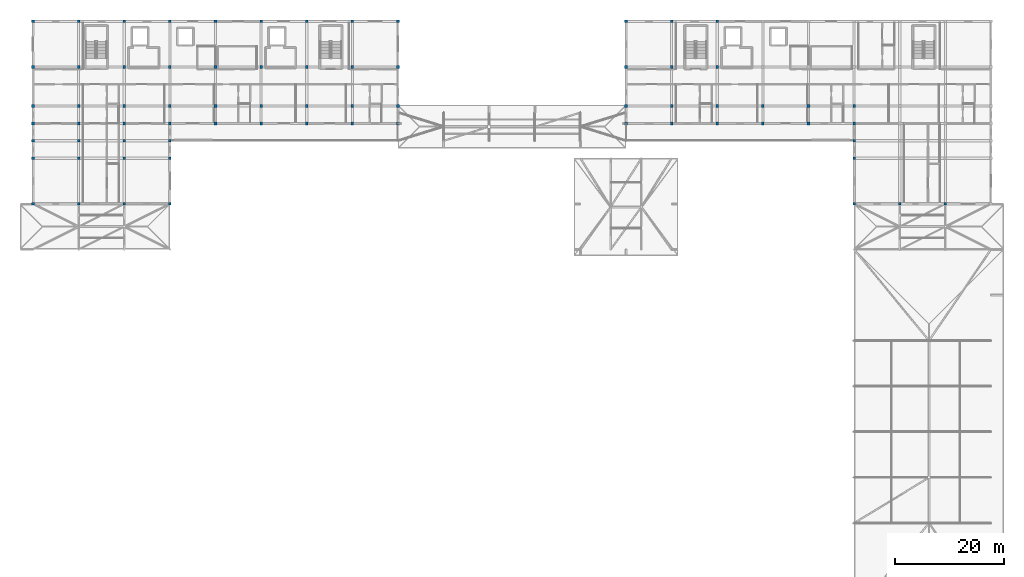
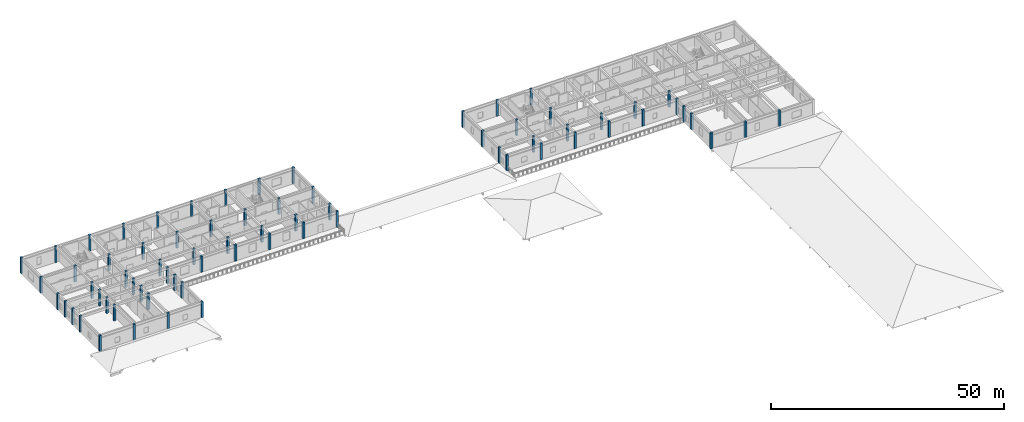
# One storey, part 1 of 26: 71 columns.
"""IFC4 building model written with IfcOpenShell, lengths in metres."""

from ifc_helpers import new_model, si_unit, direction, frame, origin, origin_2d, place, context, subcontext, project, spatial, rectangle, extrude, material, material_profile, profile_set, type_object, element, save


model = new_model("IFC4")

# Units and contexts
model_context = context("Model", 3, precision=1e-05, world=origin(), true_north=direction((0.0, 1.0)))
body_context = subcontext(model_context, "Body", "Model", "MODEL_VIEW")
ifc_project = project(units=[si_unit("LENGTHUNIT", "METRE"), si_unit("AREAUNIT", "SQUARE_METRE"), si_unit("VOLUMEUNIT", "CUBIC_METRE"), si_unit("PLANEANGLEUNIT", "RADIAN"), si_unit("MASSUNIT", "GRAM", prefix="KILO")], contexts=[model_context])

# Site, building, storey
site_placement = place(None, origin())
site = spatial("IfcSite", under=ifc_project, at=site_placement, CompositionType="ELEMENT")
building_placement = place(site_placement, origin())
building = spatial("IfcBuilding", under=site, at=building_placement, Name="Varncliffe General Hospital", CompositionType="ELEMENT")
storey_placement = place(building_placement, frame((0.0, 0.0, 28.800048828125)))
storey = spatial("IfcBuildingStorey", under=building, at=storey_placement, Name="L06", CompositionType="ELEMENT", Elevation=28.800048828125)

# Columns
ifc_material = material(Name="Concrete C40/50 (CSA A23.1 40 MPa)", Category="concrete")
ifc_material_profile_1 = material_profile(ifc_material, rectangle(XDim=0.5, YDim=0.5, at=origin_2d()), Name="RC 500x500")
ifc_profile_set_1 = profile_set([ifc_material_profile_1], Name="Concrete C40/50 (CSA A23.1 40 MPa)")
column_type_1 = type_object("IfcColumnType", Name="Column C65 (Ext RC 500x500)", PredefinedType="COLUMN", material=ifc_profile_set_1)
for number, where, z_axis, x_axis, name in (
    (1, (0.0, 91.199951171875, 0.0), (0.0, 0.0, 1.0), (1.0, 0.0, 0.0), "L06 Column C65"),
    (2, (0.0, 99.60009765625, 0.0), (0.0, 0.0, 1.0), (1.0, 0.0, 0.0), "L06 Column C65"),
    (3, (0.0, 102.800048828125, 0.0), (0.0, 0.0, 1.0), (1.0, 0.0, 0.0), "L06 Column C65"),
    (4, (0.0, 106.0, 0.0), (0.0, 0.0, 1.0), (1.0, 0.0, 0.0), "L06 Column C65"),
    (5, (0.0, 109.199951171875, 0.0), (0.0, 0.0, 1.0), (1.0, 0.0, 0.0), "L06 Column C65"),
    (6, (0.0, 116.39990234375, 0.0), (0.0, 0.0, 1.0), (1.0, 0.0, 0.0), "L06 Column C65"),
    (7, (0.0, 124.800048828125, 0.0), (0.0, 0.0, 1.0), (1.0, 0.0, 0.0), "L06 Column C65"),
    (8, (8.39990234375, 91.199951171875, 0.0), (0.0, 0.0, 1.0), (1.0, 0.0, 0.0), "L06 Column C65"),
    (9, (8.39990234375, 124.800048828125, 0.0), (0.0, 0.0, 1.0), (1.0, 0.0, 0.0), "L06 Column C65"),
    (10, (16.800048828125, 91.199951171875, 0.0), (0.0, 0.0, 1.0), (1.0, 0.0, 0.0), "L06 Column C65"),
    (11, (16.800048828125, 124.800048828125, 0.0), (0.0, 0.0, 1.0), (1.0, 0.0, 0.0), "L06 Column C65"),
    (12, (25.199951171875, 91.199951171875, 0.0), (0.0, 0.0, 1.0), (1.0, 0.0, 0.0), "L06 Column C65"),
    (13, (25.199951171875, 99.60009765625, 0.0), (0.0, 0.0, 1.0), (1.0, 0.0, 0.0), "L06 Column C65"),
    (14, (25.199951171875, 102.800048828125, 0.0), (0.0, 0.0, 1.0), (1.0, 0.0, 0.0), "L06 Column C65"),
    (15, (25.199951171875, 106.0, 0.0), (0.0, 0.0, 1.0), (1.0, 0.0, 0.0), "L06 Column C65"),
    (16, (25.199951171875, 124.800048828125, 0.0), (0.0, 0.0, 1.0), (1.0, 0.0, 0.0), "L06 Column C65"),
    (17, (33.60009765625, 106.0, 0.0), (0.0, 0.0, 1.0), (1.0, 0.0, 0.0), "L06 Column C65"),
    (18, (33.60009765625, 124.800048828125, 0.0), (0.0, 0.0, 1.0), (1.0, 0.0, 0.0), "L06 Column C65"),
    (19, (42.0, 106.0, 0.0), (0.0, 0.0, 1.0), (1.0, 0.0, 0.0), "L06 Column C65"),
    (20, (42.0, 124.800048828125, 0.0), (0.0, 0.0, 1.0), (1.0, 0.0, 0.0), "L06 Column C65"),
    (21, (50.39990234375, 106.0, 0.0), (0.0, 0.0, 1.0), (1.0, 0.0, 0.0), "L06 Column C65"),
    (22, (50.39990234375, 124.800048828125, 0.0), (0.0, 0.0, 1.0), (1.0, 0.0, 0.0), "L06 Column C65"),
    (23, (58.800048828125, 106.0, 0.0), (0.0, 0.0, 1.0), (1.0, 0.0, 0.0), "L06 Column C65"),
    (24, (58.800048828125, 124.800048828125, 0.0), (0.0, 0.0, 1.0), (1.0, 0.0, 0.0), "L06 Column C65"),
    (25, (67.199951171875, 106.0, 0.0), (0.0, 0.0, 1.0), (1.0, 0.0, 0.0), "L06 Column C65"),
    (26, (67.199951171875, 109.199951171875, 0.0), (0.0, 0.0, 1.0), (1.0, 0.0, 0.0), "L06 Column C65"),
    (27, (67.199951171875, 116.39990234375, 0.0), (0.0, 0.0, 1.0), (1.0, 0.0, 0.0), "L06 Column C65"),
    (28, (67.199951171875, 124.800048828125, 0.0), (0.0, 0.0, 1.0), (1.0, 0.0, 0.0), "L06 Column C65"),
    (29, (109.199951171875, 106.0, 0.0), (0.0, 0.0, 1.0), (1.0, 0.0, 0.0), "L06 Column C65"),
    (30, (109.199951171875, 109.199951171875, 0.0), (0.0, 0.0, 1.0), (1.0, 0.0, 0.0), "L06 Column C65"),
    (31, (109.199951171875, 116.39990234375, 0.0), (0.0, 0.0, 1.0), (1.0, 0.0, 0.0), "L06 Column C65"),
    (32, (109.199951171875, 124.800048828125, 0.0), (0.0, 0.0, 1.0), (1.0, 0.0, 0.0), "L06 Column C65"),
    (33, (117.60009765625, 106.0, 0.0), (0.0, 0.0, 1.0), (1.0, 0.0, 0.0), "L06 Column C65"),
    (34, (117.60009765625, 124.800048828125, 0.0), (0.0, 0.0, 1.0), (1.0, 0.0, 0.0), "L06 Column C65"),
    (35, (126.0, 106.0, 0.0), (0.0, 0.0, 1.0), (1.0, 0.0, 0.0), "L06 Column C65"),
    (36, (126.0, 124.800048828125, 0.0), (0.0, 0.0, 1.0), (1.0, 0.0, 0.0), "L06 Column C65"),
    (37, (134.39990234375, 106.0, 0.0), (0.0, 0.0, 1.0), (1.0, 0.0, 0.0), "L06 Column C65"),
    (38, (142.800048828125, 106.0, 0.0), (0.0, 0.0, 1.0), (1.0, 0.0, 0.0), "L06 Column C65"),
    (39, (151.199951171875, 91.199951171875, 0.0), (0.0, 0.0, 1.0), (1.0, 0.0, 0.0), "L06 Column C65"),
    (40, (151.199951171875, 99.60009765625, 0.0), (0.0, 0.0, 1.0), (1.0, 0.0, 0.0), "L06 Column C65"),
    (41, (151.199951171875, 102.800048828125, 0.0), (0.0, 0.0, 1.0), (1.0, 0.0, 0.0), "L06 Column C65"),
    (42, (151.199951171875, 106.0, 0.0), (0.0, 0.0, 1.0), (1.0, 0.0, 0.0), "L06 Column C65"),
    (43, (159.60009765625, 91.199951171875, 0.0), (0.0, 0.0, 1.0), (1.0, 0.0, 0.0), "L06 Column C65"),
    (44, (168.0, 91.199951171875, 0.0), (0.0, 0.0, 1.0), (1.0, 0.0, 0.0), "L06 Column C65"),
):
    element("IfcColumn", number, at=place(storey_placement, frame(where, z_axis=z_axis, x_axis=x_axis)), inside=storey, type_object=column_type_1, Name=name, PredefinedType="COLUMN", context=body_context, shape_type="SweptSolid", body=[
        extrude(rectangle(XDim=0.5, YDim=0.5, at=origin_2d()), origin(), (0.0, 0.0, 1.0), 4.199951171875),
    ])
ifc_material_profile_2 = material_profile(ifc_material, rectangle(XDim=0.5, YDim=0.5, at=origin_2d()), Name="RC 500x500")
ifc_profile_set_2 = profile_set([ifc_material_profile_2], Name="Concrete C40/50 (CSA A23.1 40 MPa)")
column_type_2 = type_object("IfcColumnType", Name="Column C90 (Int RC 500x500)", PredefinedType="COLUMN", material=ifc_profile_set_2)
for number, where, z_axis, x_axis, name in (
    (45, (8.39990234375, 99.60009765625, 0.0), (0.0, 0.0, 1.0), (1.0, 0.0, 0.0), "L06 Column C90"),
    (46, (8.39990234375, 102.800048828125, 0.0), (0.0, 0.0, 1.0), (1.0, 0.0, 0.0), "L06 Column C90"),
    (47, (8.39990234375, 106.0, 0.0), (0.0, 0.0, 1.0), (1.0, 0.0, 0.0), "L06 Column C90"),
    (48, (8.39990234375, 109.199951171875, 0.0), (0.0, 0.0, 1.0), (1.0, 0.0, 0.0), "L06 Column C90"),
    (49, (8.39990234375, 116.39990234375, 0.0), (0.0, 0.0, 1.0), (1.0, 0.0, 0.0), "L06 Column C90"),
    (50, (16.800048828125, 99.60009765625, 0.0), (0.0, 0.0, 1.0), (1.0, 0.0, 0.0), "L06 Column C90"),
    (51, (16.800048828125, 102.800048828125, 0.0), (0.0, 0.0, 1.0), (1.0, 0.0, 0.0), "L06 Column C90"),
    (52, (16.800048828125, 106.0, 0.0), (0.0, 0.0, 1.0), (1.0, 0.0, 0.0), "L06 Column C90"),
    (53, (16.800048828125, 109.199951171875, 0.0), (0.0, 0.0, 1.0), (1.0, 0.0, 0.0), "L06 Column C90"),
    (54, (16.800048828125, 116.39990234375, 0.0), (0.0, 0.0, 1.0), (1.0, 0.0, 0.0), "L06 Column C90"),
    (55, (25.199951171875, 109.199951171875, 0.0), (0.0, 0.0, 1.0), (1.0, 0.0, 0.0), "L06 Column C90"),
    (56, (25.199951171875, 116.39990234375, 0.0), (0.0, 0.0, 1.0), (1.0, 0.0, 0.0), "L06 Column C90"),
    (57, (33.60009765625, 109.199951171875, 0.0), (0.0, 0.0, 1.0), (1.0, 0.0, 0.0), "L06 Column C90"),
    (58, (33.60009765625, 116.39990234375, 0.0), (0.0, 0.0, 1.0), (1.0, 0.0, 0.0), "L06 Column C90"),
    (59, (42.0, 109.199951171875, 0.0), (0.0, 0.0, 1.0), (1.0, 0.0, 0.0), "L06 Column C90"),
    (60, (42.0, 116.39990234375, 0.0), (0.0, 0.0, 1.0), (1.0, 0.0, 0.0), "L06 Column C90"),
    (61, (50.39990234375, 109.199951171875, 0.0), (0.0, 0.0, 1.0), (1.0, 0.0, 0.0), "L06 Column C90"),
    (62, (50.39990234375, 116.39990234375, 0.0), (0.0, 0.0, 1.0), (1.0, 0.0, 0.0), "L06 Column C90"),
    (63, (58.800048828125, 109.199951171875, 0.0), (0.0, 0.0, 1.0), (1.0, 0.0, 0.0), "L06 Column C90"),
    (64, (58.800048828125, 116.39990234375, 0.0), (0.0, 0.0, 1.0), (1.0, 0.0, 0.0), "L06 Column C90"),
    (65, (117.60009765625, 109.199951171875, 0.0), (0.0, 0.0, 1.0), (1.0, 0.0, 0.0), "L06 Column C90"),
    (66, (117.60009765625, 116.39990234375, 0.0), (0.0, 0.0, 1.0), (1.0, 0.0, 0.0), "L06 Column C90"),
    (67, (126.0, 109.199951171875, 0.0), (0.0, 0.0, 1.0), (1.0, 0.0, 0.0), "L06 Column C90"),
    (68, (126.0, 116.39990234375, 0.0), (0.0, 0.0, 1.0), (1.0, 0.0, 0.0), "L06 Column C90"),
    (69, (134.39990234375, 109.199951171875, 0.0), (0.0, 0.0, 1.0), (1.0, 0.0, 0.0), "L06 Column C90"),
    (70, (142.800048828125, 109.199951171875, 0.0), (0.0, 0.0, 1.0), (1.0, 0.0, 0.0), "L06 Column C90"),
    (71, (151.199951171875, 109.199951171875, 0.0), (0.0, 0.0, 1.0), (1.0, 0.0, 0.0), "L06 Column C90"),
):
    element("IfcColumn", number, at=place(storey_placement, frame(where, z_axis=z_axis, x_axis=x_axis)), inside=storey, type_object=column_type_2, Name=name, PredefinedType="COLUMN", context=body_context, shape_type="SweptSolid", body=[
        extrude(rectangle(XDim=0.5, YDim=0.5, at=origin_2d()), origin(), (0.0, 0.0, 1.0), 4.199951171875),
    ])

save(model, "model.ifc")
